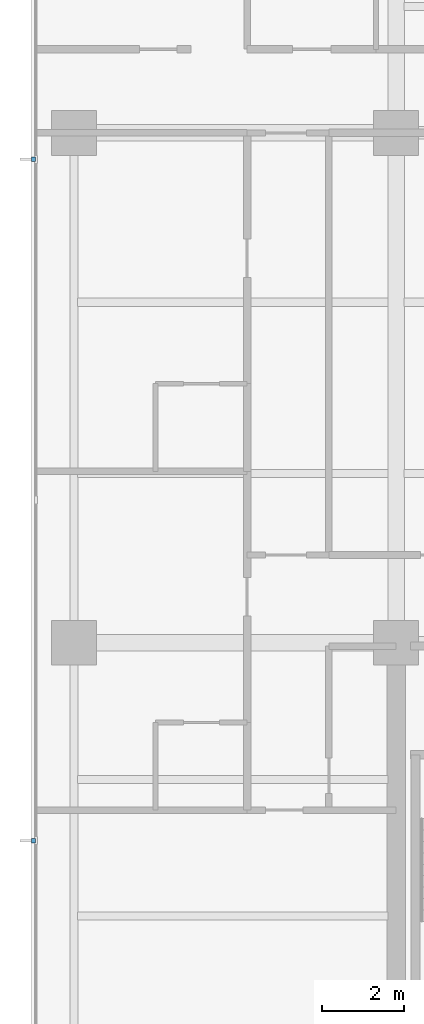
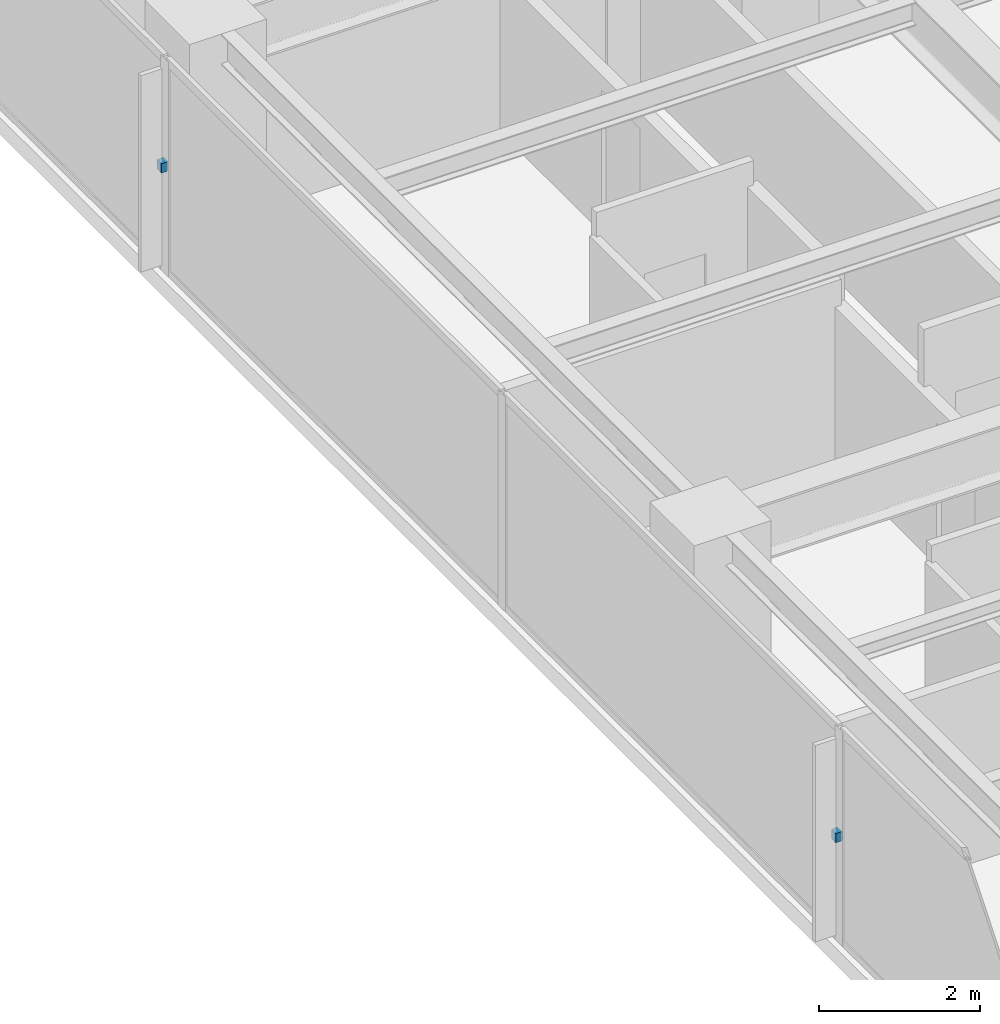
# One storey, part 11 of 15: 2 discrete accessories.
"""IFC4 building model written with IfcOpenShell, lengths in metres."""

from ifc_helpers import new_model, si_unit, direction, frame, origin, place, context, subcontext, project, spatial, polyline, outline, extrude, material, type_object, element, save


model = new_model("IFC4")

# Units and contexts
model_context = context("Model", 3, precision=1e-05, world=origin(), true_north=direction((0.0, 1.0)))
body_context = subcontext(model_context, "Body", "Model", "MODEL_VIEW")
ifc_project = project(units=[si_unit("LENGTHUNIT", "METRE"), si_unit("AREAUNIT", "SQUARE_METRE"), si_unit("VOLUMEUNIT", "CUBIC_METRE"), si_unit("PLANEANGLEUNIT", "RADIAN"), si_unit("MASSUNIT", "GRAM", prefix="KILO")], contexts=[model_context])

# Site, building, storey
site_placement = place(None, origin())
site = spatial("IfcSite", under=ifc_project, at=site_placement, CompositionType="ELEMENT")
building_placement = place(site_placement, origin())
building = spatial("IfcBuilding", under=site, at=building_placement, Name="Qalmaran Belvedere Hotel", CompositionType="ELEMENT")
storey_placement = place(building_placement, frame((0.0, 0.0, 170.10009765625)))
storey = spatial("IfcBuildingStorey", under=building, at=storey_placement, Name="L43", CompositionType="ELEMENT", Elevation=170.10009765625)

# Discrete accessories
ifc_material = material(Name="Stainless Steel 1.4401", Category="steel")
discrete_accessory_type = type_object("IfcDiscreteAccessoryType", Name="BRK-FIN-SS316", PredefinedType="BRACKET", material=ifc_material)
discrete_accessory_1_placement = place(storey_placement, frame((0.0, 0.0, 1.574951171875)))
element("IfcDiscreteAccessory", 1, at=discrete_accessory_1_placement, inside=storey, type_object=discrete_accessory_type, Name="L43 Fin Bracket 1", PredefinedType="BRACKET", context=body_context, shape_type="SweptSolid", body=[
    extrude(outline(polyline([(11.455078125, 32.405029296875), (11.360107421875, 32.405029296875), (11.360107421875, 32.294921875), (11.455078125, 32.294921875), (11.455078125, 32.405029296875)])), origin(), (0.0, 0.0, 1.0), 0.139892578125),
])
discrete_accessory_2_placement = place(storey_placement, frame((0.0, 0.0, 1.574951171875)))
element("IfcDiscreteAccessory", 2, at=discrete_accessory_2_placement, inside=storey, type_object=discrete_accessory_type, Name="L43 Fin Bracket 3", PredefinedType="BRACKET", context=body_context, shape_type="SweptSolid", body=[
    extrude(outline(polyline([(11.455078125, 15.705078125), (11.360107421875, 15.705078125), (11.360107421875, 15.594970703125), (11.455078125, 15.594970703125), (11.455078125, 15.705078125)])), origin(), (0.0, 0.0, 1.0), 0.139892578125),
])

save(model, "model.ifc")
